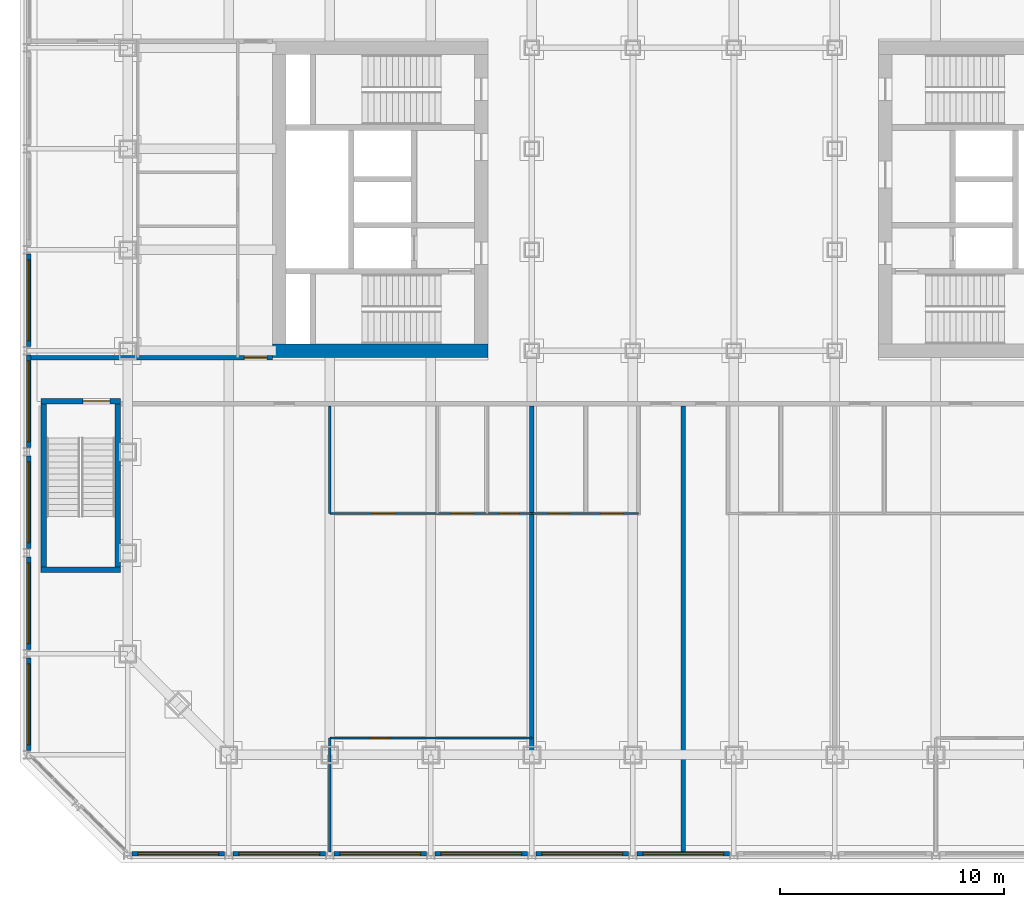
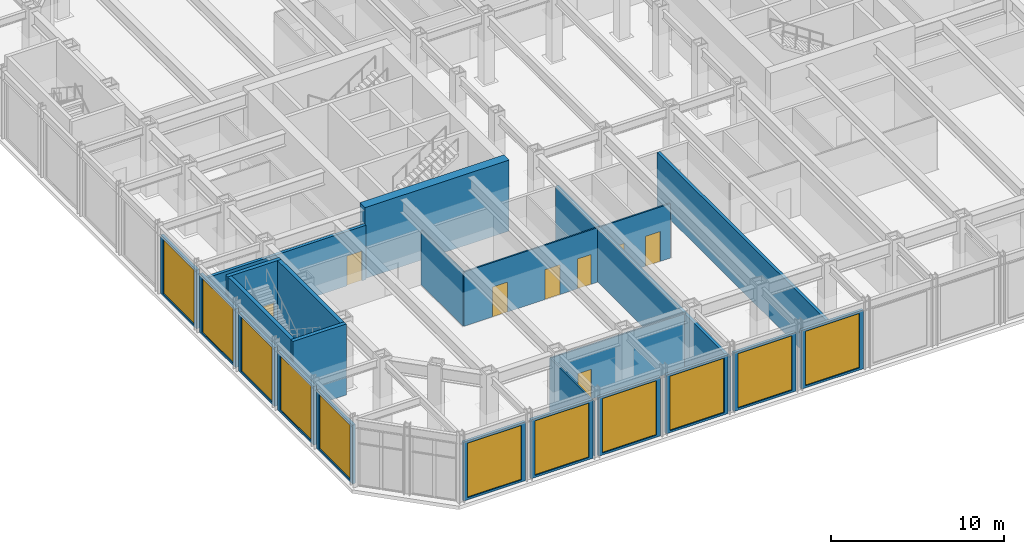
# One storey, part 10 of 19: 24 walls, 11 windows, 8 doors, 19 openings.
"""IFC4 building model written with IfcOpenShell, lengths in metres."""

from ifc_helpers import new_model, si_unit, direction, frame, frame_2d, origin, place, context, subcontext, project, spatial, rectangle, extrude, material, layer, layer_set, type_object, element, fill, save


model = new_model("IFC4")

# Units and contexts
model_context = context("Model", 3, precision=1e-05, world=origin(), true_north=direction((0.0, 1.0)))
body_context = subcontext(model_context, "Body", "Model", "MODEL_VIEW")
ifc_project = project(units=[si_unit("LENGTHUNIT", "METRE"), si_unit("AREAUNIT", "SQUARE_METRE"), si_unit("VOLUMEUNIT", "CUBIC_METRE"), si_unit("PLANEANGLEUNIT", "RADIAN"), si_unit("MASSUNIT", "GRAM", prefix="KILO")], contexts=[model_context])

# Site, building, storey
site_placement = place(None, origin())
site = spatial("IfcSite", under=ifc_project, at=site_placement, CompositionType="ELEMENT")
building_placement = place(site_placement, origin())
building = spatial("IfcBuilding", under=site, at=building_placement, Name="Msasa Ring Tower", CompositionType="ELEMENT")
storey_placement = place(building_placement, frame((0.0, 0.0, 11.0)))
storey = spatial("IfcBuildingStorey", under=building, at=storey_placement, Name="L02", CompositionType="ELEMENT", Elevation=11.0)

# Wall
ifc_material_1 = material(Name="Concrete C60/75", Category="concrete")
ifc_layer_1 = layer(ifc_material_1, 0.60009765625)
ifc_layer_set_1 = layer_set([ifc_layer_1], Name="CW1 CORE WALL 600")
wall_type_1 = type_object("IfcWallType", Name="CW1 CORE WALL 600", PredefinedType="SHEAR", material=ifc_layer_set_1)
wall_1_placement = place(storey_placement, frame((-8.699951171875, -6.75, 0.0), z_axis=(0.0, 0.0, 1.0), x_axis=(-1.0, 0.0, 0.0)))
element("IfcWall", 1, at=wall_1_placement, inside=storey, type_object=wall_type_1, Name="W core wall S L02", PredefinedType="SHEAR", context=body_context, shape_type="SweptSolid", body=[
    extrude(rectangle(XDim=9.60009765625, YDim=0.60009765625, at=frame_2d((4.800048828125, 0.0))), origin(), (0.0, 0.0, 1.0), 5.0),
])

# Wall, opening, window
ifc_material_2 = material(Name="Terracotta rainscreen on blockwork", Category="masonry")
ifc_layer_2 = layer(ifc_material_2, 0.199951171875)
ifc_layer_set_2 = layer_set([ifc_layer_2], Name="FW2 TERRACOTTA PODIUM BAY WALL 200")
wall_type_2 = type_object("IfcWallType", Name="FW2 TERRACOTTA PODIUM BAY WALL 200", PredefinedType="SOLIDWALL", material=ifc_layer_set_2)
wall_2_placement = place(storey_placement, frame((-24.562255859375, -29.14990234375, 0.0), z_axis=(0.0, 0.0, 1.0), x_axis=(1.0, 0.0, 0.0)))
wall_2 = element("IfcWall", 2, at=wall_2_placement, inside=storey, type_object=wall_type_2, Name="Podium bay wall S L02 00", PredefinedType="SOLIDWALL", context=body_context, shape_type="SweptSolid", body=[
    extrude(rectangle(XDim=4.12451171875, YDim=0.199951171875, at=frame_2d((2.062255859375, 0.0))), origin(), (0.0, 0.0, 1.0), 4.1328125),
])
opening_1_placement = place(wall_2_placement, frame((0.26220703125, 0.0, 0.14990234375)))
opening_1 = element("IfcOpeningElement", 3, at=opening_1_placement, cuts=wall_2, Name="Opening SF3", PredefinedType="OPENING", context=body_context, shape_type="SweptSolid", body=[
    extrude(rectangle(XDim=3.60009765625, YDim=3.8330078125, at=frame_2d((1.800048828125, 1.91650390625))), frame((0.0, 0.10986328125, 0.0), z_axis=(0.0, -1.0, 0.0), x_axis=(1.0, 0.0, 0.0)), (0.0, 0.0, 1.0), 0.219970703125),
])
ifc_material_3 = material(Name="Aluminium frame with clear glass", Category="aluminium")
window_type = type_object("IfcWindowType", Name="SF3 SHOPFRONT GLAZING 3600x3833", PartitioningType="SINGLE_PANEL", PredefinedType="WINDOW", material=ifc_material_3)
window_1_placement = place(opening_1_placement, origin())
window_1 = element("IfcWindow", 4, at=window_1_placement, inside=storey, type_object=window_type, Name="Shopfront glazing S L02 00", OverallHeight=3.8330078125, OverallWidth=3.60009765625, PartitioningType="SINGLE_PANEL", PredefinedType="WINDOW", context=body_context, shape_type="SweptSolid", body=[
    extrude(rectangle(XDim=3.60009765625, YDim=3.8330078125, at=frame_2d((1.800048828125, 1.91650390625))), frame((0.0, 0.030029296875, 0.0), z_axis=(0.0, -1.0, 0.0), x_axis=(1.0, 0.0, 0.0)), (0.0, 0.0, 1.0), 0.06005859375),
])
fill(opening_1, window_1)

wall_3_placement = place(storey_placement, frame((-20.062255859375, -29.14990234375, 0.0), z_axis=(0.0, 0.0, 1.0), x_axis=(1.0, 0.0, 0.0)))
wall_3 = element("IfcWall", 5, at=wall_3_placement, inside=storey, type_object=wall_type_2, Name="Podium bay wall S L02 01", PredefinedType="SOLIDWALL", context=body_context, shape_type="SweptSolid", body=[
    extrude(rectangle(XDim=4.124755859375, YDim=0.199951171875, at=frame_2d((2.0625, 0.0))), origin(), (0.0, 0.0, 1.0), 4.1328125),
])
opening_2_placement = place(wall_3_placement, frame((0.26220703125, 0.0, 0.14990234375)))
opening_2 = element("IfcOpeningElement", 6, at=opening_2_placement, cuts=wall_3, Name="Opening SF3", PredefinedType="OPENING", context=body_context, shape_type="SweptSolid", body=[
    extrude(rectangle(XDim=3.60009765625, YDim=3.8330078125, at=frame_2d((1.800048828125, 1.91650390625))), frame((0.0, 0.10986328125, 0.0), z_axis=(0.0, -1.0, 0.0), x_axis=(1.0, 0.0, 0.0)), (0.0, 0.0, 1.0), 0.219970703125),
])
window_2_placement = place(opening_2_placement, origin())
window_2 = element("IfcWindow", 7, at=window_2_placement, inside=storey, type_object=window_type, Name="Shopfront glazing S L02 01", OverallHeight=3.8330078125, OverallWidth=3.60009765625, PartitioningType="SINGLE_PANEL", PredefinedType="WINDOW", context=body_context, shape_type="SweptSolid", body=[
    extrude(rectangle(XDim=3.60009765625, YDim=3.8330078125, at=frame_2d((1.800048828125, 1.91650390625))), frame((0.0, 0.030029296875, 0.0), z_axis=(0.0, -1.0, 0.0), x_axis=(1.0, 0.0, 0.0)), (0.0, 0.0, 1.0), 0.06005859375),
])
fill(opening_2, window_2)

wall_4_placement = place(storey_placement, frame((-15.5625, -29.14990234375, 0.0), z_axis=(0.0, 0.0, 1.0), x_axis=(1.0, 0.0, 0.0)))
wall_4 = element("IfcWall", 8, at=wall_4_placement, inside=storey, type_object=wall_type_2, Name="Podium bay wall S L02 02", PredefinedType="SOLIDWALL", context=body_context, shape_type="SweptSolid", body=[
    extrude(rectangle(XDim=4.125, YDim=0.199951171875, at=frame_2d((2.0625, 0.0))), origin(), (0.0, 0.0, 1.0), 4.1328125),
])
opening_3_placement = place(wall_4_placement, frame((0.262451171875, 0.0, 0.14990234375)))
opening_3 = element("IfcOpeningElement", 9, at=opening_3_placement, cuts=wall_4, Name="Opening SF3", PredefinedType="OPENING", context=body_context, shape_type="SweptSolid", body=[
    extrude(rectangle(XDim=3.60009765625, YDim=3.8330078125, at=frame_2d((1.800048828125, 1.91650390625))), frame((0.0, 0.10986328125, 0.0), z_axis=(0.0, -1.0, 0.0), x_axis=(1.0, 0.0, 0.0)), (0.0, 0.0, 1.0), 0.219970703125),
])
window_3_placement = place(opening_3_placement, origin())
window_3 = element("IfcWindow", 10, at=window_3_placement, inside=storey, type_object=window_type, Name="Shopfront glazing S L02 02", OverallHeight=3.8330078125, OverallWidth=3.60009765625, PartitioningType="SINGLE_PANEL", PredefinedType="WINDOW", context=body_context, shape_type="SweptSolid", body=[
    extrude(rectangle(XDim=3.60009765625, YDim=3.8330078125, at=frame_2d((1.800048828125, 1.91650390625))), frame((0.0, 0.030029296875, 0.0), z_axis=(0.0, -1.0, 0.0), x_axis=(1.0, 0.0, 0.0)), (0.0, 0.0, 1.0), 0.06005859375),
])
fill(opening_3, window_3)

wall_5_placement = place(storey_placement, frame((-11.0625, -29.14990234375, 0.0), z_axis=(0.0, 0.0, 1.0), x_axis=(1.0, 0.0, 0.0)))
wall_5 = element("IfcWall", 11, at=wall_5_placement, inside=storey, type_object=wall_type_2, Name="Podium bay wall S L02 03", PredefinedType="SOLIDWALL", context=body_context, shape_type="SweptSolid", body=[
    extrude(rectangle(XDim=4.125, YDim=0.199951171875, at=frame_2d((2.0625, 0.0))), origin(), (0.0, 0.0, 1.0), 4.1328125),
])
opening_4_placement = place(wall_5_placement, frame((0.262451171875, 0.0, 0.14990234375)))
opening_4 = element("IfcOpeningElement", 12, at=opening_4_placement, cuts=wall_5, Name="Opening SF3", PredefinedType="OPENING", context=body_context, shape_type="SweptSolid", body=[
    extrude(rectangle(XDim=3.60009765625, YDim=3.8330078125, at=frame_2d((1.800048828125, 1.91650390625))), frame((0.0, 0.10986328125, 0.0), z_axis=(0.0, -1.0, 0.0), x_axis=(1.0, 0.0, 0.0)), (0.0, 0.0, 1.0), 0.219970703125),
])
window_4_placement = place(opening_4_placement, origin())
window_4 = element("IfcWindow", 13, at=window_4_placement, inside=storey, type_object=window_type, Name="Shopfront glazing S L02 03", OverallHeight=3.8330078125, OverallWidth=3.60009765625, PartitioningType="SINGLE_PANEL", PredefinedType="WINDOW", context=body_context, shape_type="SweptSolid", body=[
    extrude(rectangle(XDim=3.60009765625, YDim=3.8330078125, at=frame_2d((1.800048828125, 1.91650390625))), frame((0.0, 0.030029296875, 0.0), z_axis=(0.0, -1.0, 0.0), x_axis=(1.0, 0.0, 0.0)), (0.0, 0.0, 1.0), 0.06005859375),
])
fill(opening_4, window_4)

wall_6_placement = place(storey_placement, frame((-6.5625, -29.14990234375, 0.0), z_axis=(0.0, 0.0, 1.0), x_axis=(1.0, 0.0, 0.0)))
wall_6 = element("IfcWall", 14, at=wall_6_placement, inside=storey, type_object=wall_type_2, Name="Podium bay wall S L02 04", PredefinedType="SOLIDWALL", context=body_context, shape_type="SweptSolid", body=[
    extrude(rectangle(XDim=4.124755859375, YDim=0.199951171875, at=frame_2d((2.0625, 0.0))), origin(), (0.0, 0.0, 1.0), 4.1328125),
])
opening_5_placement = place(wall_6_placement, frame((0.262451171875, 0.0, 0.14990234375)))
opening_5 = element("IfcOpeningElement", 15, at=opening_5_placement, cuts=wall_6, Name="Opening SF3", PredefinedType="OPENING", context=body_context, shape_type="SweptSolid", body=[
    extrude(rectangle(XDim=3.60009765625, YDim=3.8330078125, at=frame_2d((1.800048828125, 1.91650390625))), frame((0.0, 0.10986328125, 0.0), z_axis=(0.0, -1.0, 0.0), x_axis=(1.0, 0.0, 0.0)), (0.0, 0.0, 1.0), 0.219970703125),
])
window_5_placement = place(opening_5_placement, origin())
window_5 = element("IfcWindow", 16, at=window_5_placement, inside=storey, type_object=window_type, Name="Shopfront glazing S L02 04", OverallHeight=3.8330078125, OverallWidth=3.60009765625, PartitioningType="SINGLE_PANEL", PredefinedType="WINDOW", context=body_context, shape_type="SweptSolid", body=[
    extrude(rectangle(XDim=3.60009765625, YDim=3.8330078125, at=frame_2d((1.800048828125, 1.91650390625))), frame((0.0, 0.030029296875, 0.0), z_axis=(0.0, -1.0, 0.0), x_axis=(1.0, 0.0, 0.0)), (0.0, 0.0, 1.0), 0.06005859375),
])
fill(opening_5, window_5)

wall_7_placement = place(storey_placement, frame((-2.062255859375, -29.14990234375, 0.0), z_axis=(0.0, 0.0, 1.0), x_axis=(1.0, 0.0, 0.0)))
wall_7 = element("IfcWall", 17, at=wall_7_placement, inside=storey, type_object=wall_type_2, Name="Podium bay wall S L02 05", PredefinedType="SOLIDWALL", context=body_context, shape_type="SweptSolid", body=[
    extrude(rectangle(XDim=4.12451171875, YDim=0.199951171875, at=frame_2d((2.062255859375, 0.0))), origin(), (0.0, 0.0, 1.0), 4.1328125),
])
opening_6_placement = place(wall_7_placement, frame((0.26220703125, 0.0, 0.14990234375)))
opening_6 = element("IfcOpeningElement", 18, at=opening_6_placement, cuts=wall_7, Name="Opening SF3", PredefinedType="OPENING", context=body_context, shape_type="SweptSolid", body=[
    extrude(rectangle(XDim=3.60009765625, YDim=3.8330078125, at=frame_2d((1.800048828125, 1.91650390625))), frame((0.0, 0.10986328125, 0.0), z_axis=(0.0, -1.0, 0.0), x_axis=(1.0, 0.0, 0.0)), (0.0, 0.0, 1.0), 0.219970703125),
])
window_6_placement = place(opening_6_placement, origin())
window_6 = element("IfcWindow", 19, at=window_6_placement, inside=storey, type_object=window_type, Name="Shopfront glazing S L02 05", OverallHeight=3.8330078125, OverallWidth=3.60009765625, PartitioningType="SINGLE_PANEL", PredefinedType="WINDOW", context=body_context, shape_type="SweptSolid", body=[
    extrude(rectangle(XDim=3.60009765625, YDim=3.8330078125, at=frame_2d((1.800048828125, 1.91650390625))), frame((0.0, 0.030029296875, 0.0), z_axis=(0.0, -1.0, 0.0), x_axis=(1.0, 0.0, 0.0)), (0.0, 0.0, 1.0), 0.06005859375),
])
fill(opening_6, window_6)

wall_8_placement = place(storey_placement, frame((-29.14990234375, -24.562255859375, 0.0), z_axis=(0.0, 0.0, 1.0), x_axis=(0.0, 1.0, 0.0)))
wall_8 = element("IfcWall", 20, at=wall_8_placement, inside=storey, type_object=wall_type_2, Name="Podium bay wall W L02 39", PredefinedType="SOLIDWALL", context=body_context, shape_type="SweptSolid", body=[
    extrude(rectangle(XDim=4.12451171875, YDim=0.199951171875, at=frame_2d((2.062255859375, 0.0))), origin(), (0.0, 0.0, 1.0), 4.1328125),
])
opening_7_placement = place(wall_8_placement, frame((0.26220703125, 0.0, 0.14990234375)))
opening_7 = element("IfcOpeningElement", 21, at=opening_7_placement, cuts=wall_8, Name="Opening SF3", PredefinedType="OPENING", context=body_context, shape_type="SweptSolid", body=[
    extrude(rectangle(XDim=3.60009765625, YDim=3.8330078125, at=frame_2d((1.800048828125, 1.91650390625))), frame((0.0, 0.10986328125, 0.0), z_axis=(0.0, -1.0, 0.0), x_axis=(1.0, 0.0, 0.0)), (0.0, 0.0, 1.0), 0.219970703125),
])
window_7_placement = place(opening_7_placement, origin())
window_7 = element("IfcWindow", 22, at=window_7_placement, inside=storey, type_object=window_type, Name="Shopfront glazing W L02 39", OverallHeight=3.8330078125, OverallWidth=3.60009765625, PartitioningType="SINGLE_PANEL", PredefinedType="WINDOW", context=body_context, shape_type="SweptSolid", body=[
    extrude(rectangle(XDim=3.60009765625, YDim=3.8330078125, at=frame_2d((1.800048828125, 1.91650390625))), frame((0.0, 0.030029296875, 0.0), z_axis=(0.0, -1.0, 0.0), x_axis=(1.0, 0.0, 0.0)), (0.0, 0.0, 1.0), 0.06005859375),
])
fill(opening_7, window_7)

wall_9_placement = place(storey_placement, frame((-29.14990234375, -20.062255859375, 0.0), z_axis=(0.0, 0.0, 1.0), x_axis=(0.0, 1.0, 0.0)))
wall_9 = element("IfcWall", 23, at=wall_9_placement, inside=storey, type_object=wall_type_2, Name="Podium bay wall W L02 40", PredefinedType="SOLIDWALL", context=body_context, shape_type="SweptSolid", body=[
    extrude(rectangle(XDim=4.124755859375, YDim=0.199951171875, at=frame_2d((2.0625, 0.0))), origin(), (0.0, 0.0, 1.0), 4.1328125),
])
opening_8_placement = place(wall_9_placement, frame((0.26220703125, 0.0, 0.14990234375)))
opening_8 = element("IfcOpeningElement", 24, at=opening_8_placement, cuts=wall_9, Name="Opening SF3", PredefinedType="OPENING", context=body_context, shape_type="SweptSolid", body=[
    extrude(rectangle(XDim=3.60009765625, YDim=3.8330078125, at=frame_2d((1.800048828125, 1.91650390625))), frame((0.0, 0.10986328125, 0.0), z_axis=(0.0, -1.0, 0.0), x_axis=(1.0, 0.0, 0.0)), (0.0, 0.0, 1.0), 0.219970703125),
])
window_8_placement = place(opening_8_placement, origin())
window_8 = element("IfcWindow", 25, at=window_8_placement, inside=storey, type_object=window_type, Name="Shopfront glazing W L02 40", OverallHeight=3.8330078125, OverallWidth=3.60009765625, PartitioningType="SINGLE_PANEL", PredefinedType="WINDOW", context=body_context, shape_type="SweptSolid", body=[
    extrude(rectangle(XDim=3.60009765625, YDim=3.8330078125, at=frame_2d((1.800048828125, 1.91650390625))), frame((0.0, 0.030029296875, 0.0), z_axis=(0.0, -1.0, 0.0), x_axis=(1.0, 0.0, 0.0)), (0.0, 0.0, 1.0), 0.06005859375),
])
fill(opening_8, window_8)

wall_10_placement = place(storey_placement, frame((-29.14990234375, -15.5625, 0.0), z_axis=(0.0, 0.0, 1.0), x_axis=(0.0, 1.0, 0.0)))
wall_10 = element("IfcWall", 26, at=wall_10_placement, inside=storey, type_object=wall_type_2, Name="Podium bay wall W L02 41", PredefinedType="SOLIDWALL", context=body_context, shape_type="SweptSolid", body=[
    extrude(rectangle(XDim=4.125, YDim=0.199951171875, at=frame_2d((2.0625, 0.0))), origin(), (0.0, 0.0, 1.0), 4.1328125),
])
opening_9_placement = place(wall_10_placement, frame((0.262451171875, 0.0, 0.14990234375)))
opening_9 = element("IfcOpeningElement", 27, at=opening_9_placement, cuts=wall_10, Name="Opening SF3", PredefinedType="OPENING", context=body_context, shape_type="SweptSolid", body=[
    extrude(rectangle(XDim=3.60009765625, YDim=3.8330078125, at=frame_2d((1.800048828125, 1.91650390625))), frame((0.0, 0.10986328125, 0.0), z_axis=(0.0, -1.0, 0.0), x_axis=(1.0, 0.0, 0.0)), (0.0, 0.0, 1.0), 0.219970703125),
])
window_9_placement = place(opening_9_placement, origin())
window_9 = element("IfcWindow", 28, at=window_9_placement, inside=storey, type_object=window_type, Name="Shopfront glazing W L02 41", OverallHeight=3.8330078125, OverallWidth=3.60009765625, PartitioningType="SINGLE_PANEL", PredefinedType="WINDOW", context=body_context, shape_type="SweptSolid", body=[
    extrude(rectangle(XDim=3.60009765625, YDim=3.8330078125, at=frame_2d((1.800048828125, 1.91650390625))), frame((0.0, 0.030029296875, 0.0), z_axis=(0.0, -1.0, 0.0), x_axis=(1.0, 0.0, 0.0)), (0.0, 0.0, 1.0), 0.06005859375),
])
fill(opening_9, window_9)

wall_11_placement = place(storey_placement, frame((-29.14990234375, -11.0625, 0.0), z_axis=(0.0, 0.0, 1.0), x_axis=(0.0, 1.0, 0.0)))
wall_11 = element("IfcWall", 29, at=wall_11_placement, inside=storey, type_object=wall_type_2, Name="Podium bay wall W L02 42", PredefinedType="SOLIDWALL", context=body_context, shape_type="SweptSolid", body=[
    extrude(rectangle(XDim=4.125, YDim=0.199951171875, at=frame_2d((2.0625, 0.0))), origin(), (0.0, 0.0, 1.0), 4.1328125),
])
opening_10_placement = place(wall_11_placement, frame((0.262451171875, 0.0, 0.14990234375)))
opening_10 = element("IfcOpeningElement", 30, at=opening_10_placement, cuts=wall_11, Name="Opening SF3", PredefinedType="OPENING", context=body_context, shape_type="SweptSolid", body=[
    extrude(rectangle(XDim=3.60009765625, YDim=3.8330078125, at=frame_2d((1.800048828125, 1.91650390625))), frame((0.0, 0.10986328125, 0.0), z_axis=(0.0, -1.0, 0.0), x_axis=(1.0, 0.0, 0.0)), (0.0, 0.0, 1.0), 0.219970703125),
])
window_10_placement = place(opening_10_placement, origin())
window_10 = element("IfcWindow", 31, at=window_10_placement, inside=storey, type_object=window_type, Name="Shopfront glazing W L02 42", OverallHeight=3.8330078125, OverallWidth=3.60009765625, PartitioningType="SINGLE_PANEL", PredefinedType="WINDOW", context=body_context, shape_type="SweptSolid", body=[
    extrude(rectangle(XDim=3.60009765625, YDim=3.8330078125, at=frame_2d((1.800048828125, 1.91650390625))), frame((0.0, 0.030029296875, 0.0), z_axis=(0.0, -1.0, 0.0), x_axis=(1.0, 0.0, 0.0)), (0.0, 0.0, 1.0), 0.06005859375),
])
fill(opening_10, window_10)

wall_12_placement = place(storey_placement, frame((-29.14990234375, -6.5625, 0.0), z_axis=(0.0, 0.0, 1.0), x_axis=(0.0, 1.0, 0.0)))
wall_12 = element("IfcWall", 32, at=wall_12_placement, inside=storey, type_object=wall_type_2, Name="Podium bay wall W L02 43", PredefinedType="SOLIDWALL", context=body_context, shape_type="SweptSolid", body=[
    extrude(rectangle(XDim=4.124755859375, YDim=0.199951171875, at=frame_2d((2.0625, 0.0))), origin(), (0.0, 0.0, 1.0), 4.1328125),
])
opening_11_placement = place(wall_12_placement, frame((0.262451171875, 0.0, 0.14990234375)))
opening_11 = element("IfcOpeningElement", 33, at=opening_11_placement, cuts=wall_12, Name="Opening SF3", PredefinedType="OPENING", context=body_context, shape_type="SweptSolid", body=[
    extrude(rectangle(XDim=3.60009765625, YDim=3.8330078125, at=frame_2d((1.800048828125, 1.91650390625))), frame((0.0, 0.10986328125, 0.0), z_axis=(0.0, -1.0, 0.0), x_axis=(1.0, 0.0, 0.0)), (0.0, 0.0, 1.0), 0.219970703125),
])
window_11_placement = place(opening_11_placement, origin())
window_11 = element("IfcWindow", 34, at=window_11_placement, inside=storey, type_object=window_type, Name="Shopfront glazing W L02 43", OverallHeight=3.8330078125, OverallWidth=3.60009765625, PartitioningType="SINGLE_PANEL", PredefinedType="WINDOW", context=body_context, shape_type="SweptSolid", body=[
    extrude(rectangle(XDim=3.60009765625, YDim=3.8330078125, at=frame_2d((1.800048828125, 1.91650390625))), frame((0.0, 0.030029296875, 0.0), z_axis=(0.0, -1.0, 0.0), x_axis=(1.0, 0.0, 0.0)), (0.0, 0.0, 1.0), 0.06005859375),
])
fill(opening_11, window_11)

# Wall, opening, door
ifc_material_4 = material(Name="Concrete blockwork", Category="masonry")
ifc_layer_3 = layer(ifc_material_4, 0.199951171875)
ifc_layer_set_3 = layer_set([ifc_layer_3], Name="PT1 CORRIDOR WALL 200")
wall_type_3 = type_object("IfcWallType", Name="PT1 CORRIDOR WALL 200", PredefinedType="PARTITIONING", material=ifc_layer_set_3)
wall_13_placement = place(storey_placement, frame((-29.050048828125, -7.050048828125, 0.0), z_axis=(0.0, 0.0, 1.0), x_axis=(1.0, 0.0, 0.0)))
wall_13 = element("IfcWall", 35, at=wall_13_placement, inside=storey, type_object=wall_type_3, Name="Corridor wall L02-STRWS", PredefinedType="PARTITIONING", context=body_context, shape_type="SweptSolid", body=[
    extrude(rectangle(XDim=10.75, YDim=0.199951171875, at=frame_2d((5.375, 0.0))), origin(), (0.0, 0.0, 1.0), 3.8291015625),
])
opening_12_placement = place(wall_13_placement, frame((9.5, 0.0, 0.0)))
opening_12 = element("IfcOpeningElement", 36, at=opening_12_placement, cuts=wall_13, Name="Opening L02-036", PredefinedType="OPENING", context=body_context, shape_type="SweptSolid", body=[
    extrude(rectangle(XDim=1.0, YDim=2.10009765625, at=frame_2d((0.5, 1.050048828125))), frame((0.0, 0.10986328125, 0.0), z_axis=(0.0, -1.0, 0.0), x_axis=(1.0, 0.0, 0.0)), (0.0, 0.0, 1.0), 0.219970703125),
])
ifc_material_5 = material(Name="Timber door leaf in a steel frame", Category="steel")
door_type_1 = type_object("IfcDoorType", Name="D12 WC DOOR 1000x2100", OperationType="SINGLE_SWING_LEFT", PredefinedType="DOOR", material=ifc_material_5)
door_1_placement = place(opening_12_placement, origin())
door_1 = element("IfcDoor", 37, at=door_1_placement, inside=storey, type_object=door_type_1, Name="Door L02-WLWS", OperationType="SINGLE_SWING_RIGHT", OverallHeight=2.10009765625, OverallWidth=1.0, PredefinedType="DOOR", context=body_context, shape_type="SweptSolid", body=[
    extrude(rectangle(XDim=1.0, YDim=2.10009765625, at=frame_2d((0.5, 1.050048828125))), frame((0.0, 0.02490234375, 0.0), z_axis=(0.0, -1.0, 0.0), x_axis=(1.0, 0.0, 0.0)), (0.0, 0.0, 1.0), 0.050048828125),
])
fill(opening_12, door_1)

# Wall, openings, doors
ifc_material_6 = material(Name="Gypsum board on steel studs", Category="steel")
ifc_layer_4 = layer(ifc_material_6, 0.10009765625)
ifc_layer_set_4 = layer_set([ifc_layer_4], Name="PT2 STUD PARTITION 100")
wall_type_4 = type_object("IfcWallType", Name="PT2 STUD PARTITION 100", PredefinedType="PARTITIONING", material=ifc_layer_set_4)
wall_14_placement = place(storey_placement, frame((-15.75, -14.0, 0.0), z_axis=(0.0, 0.0, 1.0), x_axis=(1.0, 0.0, 0.0)))
wall_14 = element("IfcWall", 38, at=wall_14_placement, inside=storey, type_object=wall_type_4, Name="Partition L02-PDS0BY", PredefinedType="PARTITIONING", context=body_context, shape_type="SweptSolid", body=[
    extrude(rectangle(XDim=9.0, YDim=0.10009765625, at=frame_2d((4.5, 0.0))), origin(), (0.0, 0.0, 1.0), 3.8291015625),
])
opening_13_placement = place(wall_14_placement, frame((1.89990234375, 0.0, 0.0)))
opening_13 = element("IfcOpeningElement", 39, at=opening_13_placement, cuts=wall_14, Name="Opening L02-046", PredefinedType="OPENING", context=body_context, shape_type="SweptSolid", body=[
    extrude(rectangle(XDim=1.0, YDim=2.10009765625, at=frame_2d((0.5, 1.050048828125))), frame((0.0, 0.06005859375, 0.0), z_axis=(0.0, -1.0, 0.0), x_axis=(1.0, 0.0, 0.0)), (0.0, 0.0, 1.0), 0.1201171875),
])
opening_14_placement = place(wall_14_placement, frame((5.39990234375, 0.0, 0.0)))
opening_14 = element("IfcOpeningElement", 40, at=opening_14_placement, cuts=wall_14, Name="Opening L02-047", PredefinedType="OPENING", context=body_context, shape_type="SweptSolid", body=[
    extrude(rectangle(XDim=1.0, YDim=2.10009765625, at=frame_2d((0.5, 1.050048828125))), frame((0.0, 0.06005859375, 0.0), z_axis=(0.0, -1.0, 0.0), x_axis=(1.0, 0.0, 0.0)), (0.0, 0.0, 1.0), 0.1201171875),
])
opening_15_placement = place(wall_14_placement, frame((7.550048828125, 0.0, 0.0)))
opening_15 = element("IfcOpeningElement", 41, at=opening_15_placement, cuts=wall_14, Name="Opening L02-048", PredefinedType="OPENING", context=body_context, shape_type="SweptSolid", body=[
    extrude(rectangle(XDim=0.89990234375, YDim=2.10009765625, at=frame_2d((0.449951171875, 1.050048828125))), frame((0.0, 0.06005859375, 0.0), z_axis=(0.0, -1.0, 0.0), x_axis=(1.0, 0.0, 0.0)), (0.0, 0.0, 1.0), 0.1201171875),
])
ifc_material_7 = material(Name="Timber door leaf in a steel frame", Category="steel")
door_type_2 = type_object("IfcDoorType", Name="D22 INTERNAL HALL DOOR 900x2100", OperationType="SINGLE_SWING_LEFT", PredefinedType="DOOR", material=ifc_material_7)
door_2_placement = place(opening_15_placement, origin())
door_2 = element("IfcDoor", 42, at=door_2_placement, inside=storey, type_object=door_type_2, Name="Door L02-PDS0B2", OperationType="SINGLE_SWING_RIGHT", OverallHeight=2.10009765625, OverallWidth=0.89990234375, PredefinedType="DOOR", context=body_context, shape_type="SweptSolid", body=[
    extrude(rectangle(XDim=0.89990234375, YDim=2.10009765625, at=frame_2d((0.449951171875, 1.050048828125))), frame((0.0, 0.02490234375, 0.0), z_axis=(0.0, -1.0, 0.0), x_axis=(1.0, 0.0, 0.0)), (0.0, 0.0, 1.0), 0.050048828125),
])
fill(opening_15, door_2)
ifc_material_8 = material(Name="Timber door leaf in a steel frame", Category="steel")
door_type_3 = type_object("IfcDoorType", Name="D27 INTERNAL STORE DOOR 1000x2100", OperationType="SINGLE_SWING_LEFT", PredefinedType="DOOR", material=ifc_material_8)
door_3_placement = place(opening_13_placement, origin())
door_3 = element("IfcDoor", 43, at=door_3_placement, inside=storey, type_object=door_type_3, Name="Door L02-PDS0B0", OperationType="SINGLE_SWING_LEFT", OverallHeight=2.10009765625, OverallWidth=1.0, PredefinedType="DOOR", context=body_context, shape_type="SweptSolid", body=[
    extrude(rectangle(XDim=1.0, YDim=2.10009765625, at=frame_2d((0.5, 1.050048828125))), frame((0.0, 0.02490234375, 0.0), z_axis=(0.0, -1.0, 0.0), x_axis=(1.0, 0.0, 0.0)), (0.0, 0.0, 1.0), 0.050048828125),
])
fill(opening_13, door_3)
door_4_placement = place(opening_14_placement, origin())
door_4 = element("IfcDoor", 44, at=door_4_placement, inside=storey, type_object=door_type_3, Name="Door L02-PDS0B1", OperationType="SINGLE_SWING_RIGHT", OverallHeight=2.10009765625, OverallWidth=1.0, PredefinedType="DOOR", context=body_context, shape_type="SweptSolid", body=[
    extrude(rectangle(XDim=1.0, YDim=2.10009765625, at=frame_2d((0.5, 1.050048828125))), frame((0.0, 0.02490234375, 0.0), z_axis=(0.0, -1.0, 0.0), x_axis=(1.0, 0.0, 0.0)), (0.0, 0.0, 1.0), 0.050048828125),
])
fill(opening_14, door_4)

# Walls
wall_15_placement = place(storey_placement, frame((-15.75, -14.0, 0.0), z_axis=(0.0, 0.0, 1.0), x_axis=(0.0, 1.0, 0.0)))
element("IfcWall", 45, at=wall_15_placement, inside=storey, type_object=wall_type_4, Name="Partition L02-PDS0BX-15.75", PredefinedType="PARTITIONING", context=body_context, shape_type="SweptSolid", body=[
    extrude(rectangle(XDim=4.800048828125, YDim=0.10009765625, at=frame_2d((2.39990234375, 0.0))), origin(), (0.0, 0.0, 1.0), 3.8291015625),
])
wall_16_placement = place(storey_placement, frame((-15.75, -29.0888671875, 0.0), z_axis=(0.0, 0.0, 1.0), x_axis=(0.0, 1.0, 0.0)))
element("IfcWall", 46, at=wall_16_placement, inside=storey, type_object=wall_type_4, Name="Partition L02-PDS0FX-15.75", PredefinedType="PARTITIONING", context=body_context, shape_type="SweptSolid", body=[
    extrude(rectangle(XDim=5.0888671875, YDim=0.10009765625, at=frame_2d((2.54443359375, 0.0))), origin(), (0.0, 0.0, 1.0), 3.8291015625),
])

# Wall, opening, door
wall_17_placement = place(storey_placement, frame((-15.75, -24.0, 0.0), z_axis=(0.0, 0.0, 1.0), x_axis=(1.0, 0.0, 0.0)))
wall_17 = element("IfcWall", 47, at=wall_17_placement, inside=storey, type_object=wall_type_4, Name="Partition L02-PDS0FY0", PredefinedType="PARTITIONING", context=body_context, shape_type="SweptSolid", body=[
    extrude(rectangle(XDim=9.0, YDim=0.10009765625, at=frame_2d((4.5, 0.0))), origin(), (0.0, 0.0, 1.0), 3.8291015625),
])
opening_16_placement = place(wall_17_placement, frame((1.800048828125, 0.0, 0.0)))
opening_16 = element("IfcOpeningElement", 48, at=opening_16_placement, cuts=wall_17, Name="Opening L02-053", PredefinedType="OPENING", context=body_context, shape_type="SweptSolid", body=[
    extrude(rectangle(XDim=0.89990234375, YDim=2.10009765625, at=frame_2d((0.449951171875, 1.050048828125))), frame((0.0, 0.06005859375, 0.0), z_axis=(0.0, -1.0, 0.0), x_axis=(1.0, 0.0, 0.0)), (0.0, 0.0, 1.0), 0.1201171875),
])
door_5_placement = place(opening_16_placement, origin())
door_5 = element("IfcDoor", 49, at=door_5_placement, inside=storey, type_object=door_type_2, Name="Door L02-PDS0F0", OperationType="SINGLE_SWING_LEFT", OverallHeight=2.10009765625, OverallWidth=0.89990234375, PredefinedType="DOOR", context=body_context, shape_type="SweptSolid", body=[
    extrude(rectangle(XDim=0.89990234375, YDim=2.10009765625, at=frame_2d((0.449951171875, 1.050048828125))), frame((0.0, 0.02490234375, 0.0), z_axis=(0.0, -1.0, 0.0), x_axis=(1.0, 0.0, 0.0)), (0.0, 0.0, 1.0), 0.050048828125),
])
fill(opening_16, door_5)

# Wall, openings, doors
wall_18_placement = place(storey_placement, frame((-6.75, -14.0, 0.0), z_axis=(0.0, 0.0, 1.0), x_axis=(1.0, 0.0, 0.0)))
wall_18 = element("IfcWall", 50, at=wall_18_placement, inside=storey, type_object=wall_type_4, Name="Partition L02-PDS1BY", PredefinedType="PARTITIONING", context=body_context, shape_type="SweptSolid", body=[
    extrude(rectangle(XDim=4.75, YDim=0.10009765625, at=frame_2d((2.375, 0.0))), origin(), (0.0, 0.0, 1.0), 3.8291015625),
])
opening_17_placement = place(wall_18_placement, frame((0.75, 0.0, 0.0)))
opening_17 = element("IfcOpeningElement", 51, at=opening_17_placement, cuts=wall_18, Name="Opening L02-049", PredefinedType="OPENING", context=body_context, shape_type="SweptSolid", body=[
    extrude(rectangle(XDim=0.89990234375, YDim=2.10009765625, at=frame_2d((0.449951171875, 1.050048828125))), frame((0.0, 0.06005859375, 0.0), z_axis=(0.0, -1.0, 0.0), x_axis=(1.0, 0.0, 0.0)), (0.0, 0.0, 1.0), 0.1201171875),
])
opening_18_placement = place(wall_18_placement, frame((3.074951171875, 0.0, 0.0)))
opening_18 = element("IfcOpeningElement", 52, at=opening_18_placement, cuts=wall_18, Name="Opening L02-050", PredefinedType="OPENING", context=body_context, shape_type="SweptSolid", body=[
    extrude(rectangle(XDim=1.0, YDim=2.10009765625, at=frame_2d((0.5, 1.050048828125))), frame((0.0, 0.06005859375, 0.0), z_axis=(0.0, -1.0, 0.0), x_axis=(1.0, 0.0, 0.0)), (0.0, 0.0, 1.0), 0.1201171875),
])
door_6_placement = place(opening_18_placement, origin())
door_6 = element("IfcDoor", 53, at=door_6_placement, inside=storey, type_object=door_type_1, Name="Door L02-PDS1B1", OperationType="SINGLE_SWING_RIGHT", OverallHeight=2.10009765625, OverallWidth=1.0, PredefinedType="DOOR", context=body_context, shape_type="SweptSolid", body=[
    extrude(rectangle(XDim=1.0, YDim=2.10009765625, at=frame_2d((0.5, 1.050048828125))), frame((0.0, 0.02490234375, 0.0), z_axis=(0.0, -1.0, 0.0), x_axis=(1.0, 0.0, 0.0)), (0.0, 0.0, 1.0), 0.050048828125),
])
fill(opening_18, door_6)
door_7_placement = place(opening_17_placement, origin())
door_7 = element("IfcDoor", 54, at=door_7_placement, inside=storey, type_object=door_type_2, Name="Door L02-PDS1B0", OperationType="SINGLE_SWING_LEFT", OverallHeight=2.10009765625, OverallWidth=0.89990234375, PredefinedType="DOOR", context=body_context, shape_type="SweptSolid", body=[
    extrude(rectangle(XDim=0.89990234375, YDim=2.10009765625, at=frame_2d((0.449951171875, 1.050048828125))), frame((0.0, 0.02490234375, 0.0), z_axis=(0.0, -1.0, 0.0), x_axis=(1.0, 0.0, 0.0)), (0.0, 0.0, 1.0), 0.050048828125),
])
fill(opening_17, door_7)

# Walls
ifc_material_9 = material(Name="Dense concrete blockwork, plastered both faces", Category="masonry")
ifc_layer_5 = layer(ifc_material_9, 0.25)
ifc_layer_set_5 = layer_set([ifc_layer_5], Name="PT3 APARTMENT SEPARATING WALL 250")
wall_type_5 = type_object("IfcWallType", Name="PT3 APARTMENT SEPARATING WALL 250", PredefinedType="PARTITIONING", material=ifc_layer_set_5)
wall_19_placement = place(storey_placement, frame((-6.75, -29.0888671875, 0.0), z_axis=(0.0, 0.0, 1.0), x_axis=(0.0, 1.0, 0.0)))
element("IfcWall", 55, at=wall_19_placement, inside=storey, type_object=wall_type_5, Name="Party wall L02-PWS-6.75", PredefinedType="PARTITIONING", context=body_context, shape_type="SweptSolid", body=[
    extrude(rectangle(XDim=19.888916015625, YDim=0.199951171875, at=frame_2d((9.9443359375, 0.0))), origin(), (0.0, 0.0, 1.0), 3.8291015625),
])
wall_20_placement = place(storey_placement, frame((0.0, -29.050048828125, 0.0), z_axis=(0.0, 0.0, 1.0), x_axis=(0.0, 1.0, 0.0)))
element("IfcWall", 56, at=wall_20_placement, inside=storey, type_object=wall_type_5, Name="Party wall L02-PWS+0.00", PredefinedType="PARTITIONING", context=body_context, shape_type="SweptSolid", body=[
    extrude(rectangle(XDim=19.85009765625, YDim=0.199951171875, at=frame_2d((9.925048828125, 0.0))), origin(), (0.0, 0.0, 1.0), 3.8291015625),
])
ifc_material_10 = material(Name="Concrete C60/75", Category="concrete")
ifc_layer_6 = layer(ifc_material_10, 0.25)
ifc_layer_set_6 = layer_set([ifc_layer_6], Name="SW1 STAIR WALL 250")
wall_type_6 = type_object("IfcWallType", Name="SW1 STAIR WALL 250", PredefinedType="SHEAR", material=ifc_layer_set_6)
wall_21_placement = place(storey_placement, frame((-28.625, -16.5, 0.0), z_axis=(0.0, 0.0, 1.0), x_axis=(1.0, 0.0, 0.0)))
element("IfcWall", 57, at=wall_21_placement, inside=storey, type_object=wall_type_6, Name="Podium stair WS wall S L02", PredefinedType="SHEAR", context=body_context, shape_type="SweptSolid", body=[
    extrude(rectangle(XDim=3.550048828125, YDim=0.25, at=frame_2d((1.77490234375, 0.0))), origin(), (0.0, 0.0, 1.0), 5.0),
])

# Wall, opening, door
wall_22_placement = place(storey_placement, frame((-28.625, -9.0, 0.0), z_axis=(0.0, 0.0, 1.0), x_axis=(1.0, 0.0, 0.0)))
wall_22 = element("IfcWall", 58, at=wall_22_placement, inside=storey, type_object=wall_type_6, Name="Podium stair WS wall N L02", PredefinedType="SHEAR", context=body_context, shape_type="SweptSolid", body=[
    extrude(rectangle(XDim=3.550048828125, YDim=0.25, at=frame_2d((1.77490234375, 0.0))), origin(), (0.0, 0.0, 1.0), 5.0),
])
opening_19_placement = place(wall_22_placement, frame((1.875, 0.0, 0.0)))
opening_19 = element("IfcOpeningElement", 59, at=opening_19_placement, cuts=wall_22, Name="Opening L02-038", PredefinedType="OPENING", context=body_context, shape_type="SweptSolid", body=[
    extrude(rectangle(XDim=1.199951171875, YDim=2.10009765625, at=frame_2d((0.60009765625, 1.050048828125))), frame((0.0, 0.135009765625, 0.0), z_axis=(0.0, -1.0, 0.0), x_axis=(1.0, 0.0, 0.0)), (0.0, 0.0, 1.0), 0.27001953125),
])
ifc_material_11 = material(Name="Timber door leaf in a steel frame", Category="steel")
door_type_4 = type_object("IfcDoorType", Name="D7 WIDE STAIR DOOR 1200x2100", OperationType="SINGLE_SWING_LEFT", PredefinedType="DOOR", material=ifc_material_11)
door_8_placement = place(opening_19_placement, origin())
door_8 = element("IfcDoor", 60, at=door_8_placement, inside=storey, type_object=door_type_4, Name="Door L02-PSTWS", OperationType="SINGLE_SWING_RIGHT", OverallHeight=2.10009765625, OverallWidth=1.199951171875, PredefinedType="DOOR", context=body_context, shape_type="SweptSolid", body=[
    extrude(rectangle(XDim=1.199951171875, YDim=2.10009765625, at=frame_2d((0.60009765625, 1.050048828125))), frame((0.0, 0.02490234375, 0.0), z_axis=(0.0, -1.0, 0.0), x_axis=(1.0, 0.0, 0.0)), (0.0, 0.0, 1.0), 0.050048828125),
])
fill(opening_19, door_8)

# Walls
for number, where, z_axis, x_axis, name in (
    (61, (-28.5, -16.375, 0.0), (0.0, 0.0, 1.0), (0.0, 1.0, 0.0), "Podium stair WS wall W L02"),
    (62, (-25.199951171875, -16.375, 0.0), (0.0, 0.0, 1.0), (0.0, 1.0, 0.0), "Podium stair WS wall E L02"),
):
    element("IfcWall", number, at=place(storey_placement, frame(where, z_axis=z_axis, x_axis=x_axis)), inside=storey, type_object=wall_type_6, Name=name, PredefinedType="SHEAR", context=body_context, shape_type="SweptSolid", body=[
        extrude(rectangle(XDim=7.25, YDim=0.25, at=frame_2d((3.625, 0.0))), origin(), (0.0, 0.0, 1.0), 5.0),
    ])

save(model, "model.ifc")
